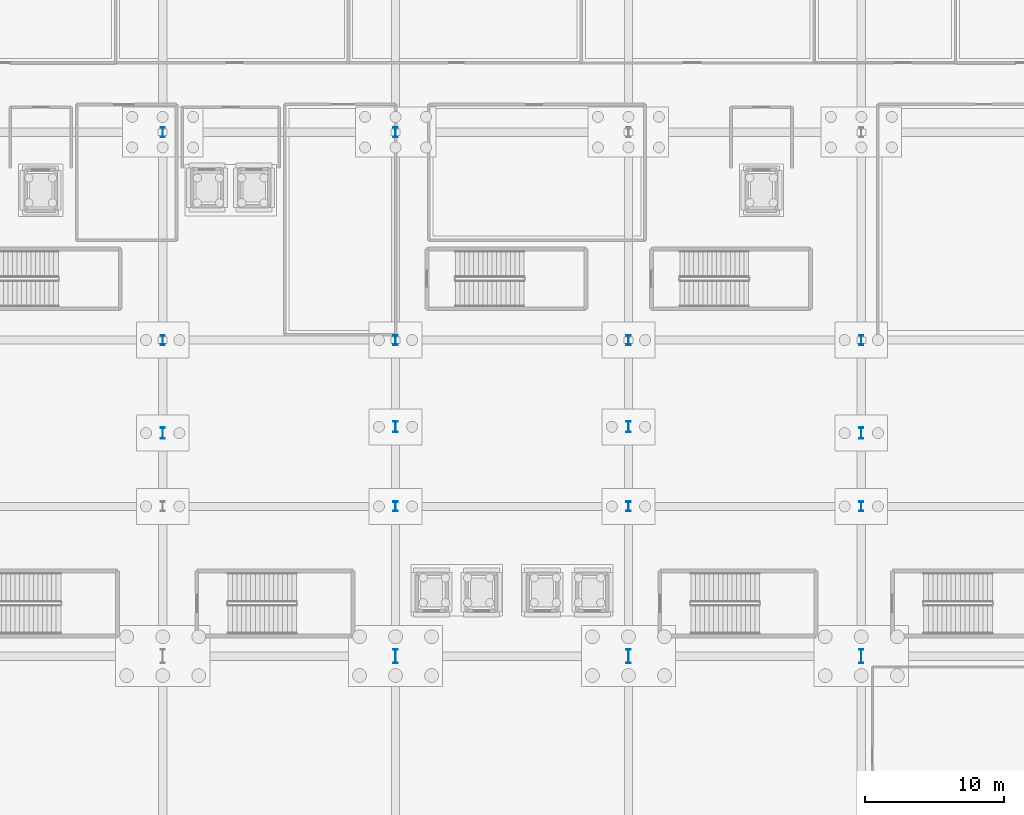
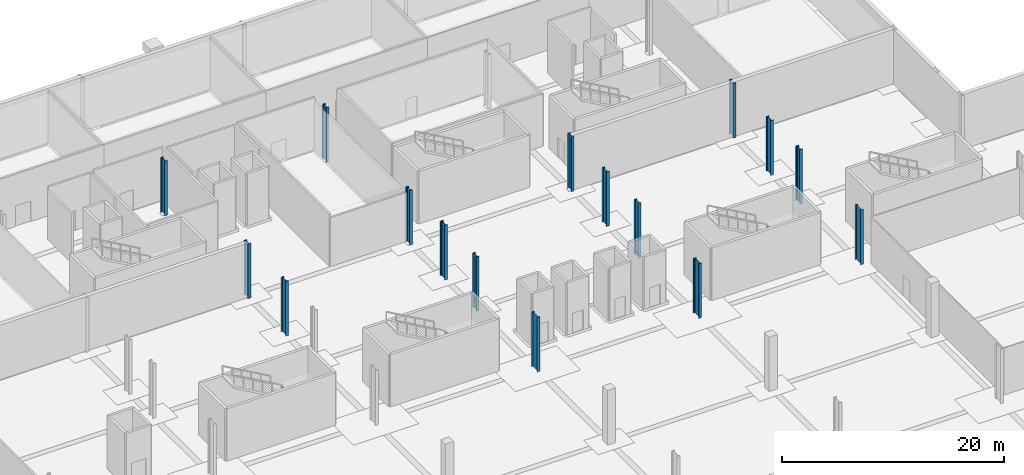
# One storey, part 13 of 46: 16 columns.
"""IFC4 building model written with IfcOpenShell, lengths in metres."""

import ifcopenshell
import ifcopenshell.guid

model = None  # the IFC model being written
_history = None  # IfcOwnerHistory: only IFC2X3 demands one
_inside = {}  # id of a spatial element -> (the spatial element, [elements in it])
_under = {}  # id of a project, library or spatial element -> (it, [spatial elements below it])
_declared = {}  # id of a project -> (the project, [libraries it declares])
_typed = {}  # id of a type object -> (the type object, [elements of that type])
_made_of = {}  # id of a material, layer set ... -> (it, [elements and type objects made of it])


def new_model(schema):
    """Start an empty IFC model of exactly this schema.

    Asked for "IFC4X3", IfcOpenShell would pick the latest addendum, in which some entities
    have other attributes; the version numbers below select the first issue.
    IFC2X3 requires an IfcOwnerHistory on every rooted entity: one is made here for all.
    """
    global model, _history
    if schema == "IFC4X3":
        model = ifcopenshell.file(schema_version=(4, 3, 0, 0))
    else:
        model = ifcopenshell.file(schema=schema)
    _inside.clear()
    _under.clear()
    _declared.clear()
    _typed.clear()
    _made_of.clear()
    _history = None
    if model.schema == "IFC2X3":
        org = make("IfcOrganization", Name="unknown")
        user = make(
            "IfcPersonAndOrganization",
            ThePerson=make("IfcPerson", FamilyName="unknown"),
            TheOrganization=org,
        )
        app = make(
            "IfcApplication",
            ApplicationDeveloper=org,
            Version="unknown",
            ApplicationFullName="unknown",
            ApplicationIdentifier="unknown",
        )
        _history = make(
            "IfcOwnerHistory",
            OwningUser=user,
            OwningApplication=app,
            ChangeAction="ADDED",
            CreationDate=0,
        )
    return model


def make(cls, **values):
    """One entity of the class cls with the attributes given. An attribute that is None is left unset."""
    return model.create_entity(
        cls, **{name: value for name, value in values.items() if value is not None}
    )


def rooted(cls, **values):
    """An entity with a GlobalId (a new one), such as an element, a storey or a relation."""
    return make(cls, GlobalId=ifcopenshell.guid.new(), OwnerHistory=_history, **values)


def si_unit(unit_type, name, prefix=None):
    """IfcSIUnit, for example si_unit("LENGTHUNIT", "METRE", prefix="MILLI")."""
    return make("IfcSIUnit", UnitType=unit_type, Prefix=prefix, Name=name)


def assignment(units):
    """IfcUnitAssignment: the units of a project."""
    return None if units is None else make("IfcUnitAssignment", Units=units)


def point(xyz):
    """IfcCartesianPoint."""
    return None if xyz is None else make("IfcCartesianPoint", Coordinates=xyz)


def direction(xyz):
    """IfcDirection."""
    return None if xyz is None else make("IfcDirection", DirectionRatios=xyz)


def frame(location, z_axis=None, x_axis=None):
    """IfcAxis2Placement3D, a coordinate frame: its origin and axes. An axis left out is left unset."""
    return make(
        "IfcAxis2Placement3D",
        Location=point(location),
        Axis=direction(z_axis),
        RefDirection=direction(x_axis),
    )


def frame_2d(location, x_axis=None):
    """IfcAxis2Placement2D, a coordinate frame in the plane: its origin and x axis."""
    return make(
        "IfcAxis2Placement2D", Location=point(location), RefDirection=direction(x_axis)
    )


def origin():
    """The frame at (0, 0, 0) with its axes left unset."""
    return frame((0.0, 0.0, 0.0))


def origin_2d():
    """The frame at (0, 0) in the plane with its x axis left unset."""
    return frame_2d((0.0, 0.0))


def place(relative_to, where):
    """IfcLocalPlacement: puts the frame where relative to a parent placement (None: the world)."""
    return make(
        "IfcLocalPlacement", PlacementRelTo=relative_to, RelativePlacement=where
    )


def context(
    kind, dimensions, precision=None, world=None, true_north=None, identifier=None
):
    """IfcGeometricRepresentationContext, for example the 3D "Model" context."""
    return make(
        "IfcGeometricRepresentationContext",
        ContextIdentifier=identifier,
        ContextType=kind,
        CoordinateSpaceDimension=dimensions,
        Precision=precision,
        WorldCoordinateSystem=world,
        TrueNorth=true_north,
    )


def subcontext(parent, identifier, kind, view, scale=None):
    """IfcGeometricRepresentationSubContext, for example "Body" below "Model"."""
    return make(
        "IfcGeometricRepresentationSubContext",
        ContextIdentifier=identifier,
        ContextType=kind,
        ParentContext=parent,
        TargetScale=scale,
        TargetView=view,
    )


def project(units=None, contexts=None):
    """IfcProject with its units and contexts."""
    return rooted(
        "IfcProject",
        Name="project",
        RepresentationContexts=contexts,
        UnitsInContext=assignment(units),
    )


def spatial(cls, under=None, at=None, **own):
    """A site, building, storey or space (cls), placed at a placement, below another one or the project."""
    s = rooted(cls, ObjectPlacement=at, **own)
    if under is not None:
        _under.setdefault(under.id(), (under, []))[1].append(s)
    return s


def profile(cls, at=None, kind="AREA", **sizes):
    """A parametric profile (cls). Its sizes go by their IFC names, for example OverallWidth=200.0."""
    return make(cls, ProfileType=kind, Position=at, **sizes)


def i_section(**sizes):
    """IfcIShapeProfileDef."""
    return profile("IfcIShapeProfileDef", **sizes)


def extrude(swept, where, along, depth):
    """IfcExtrudedAreaSolid: the profile swept, set in the frame where, extruded along a direction by depth."""
    return make(
        "IfcExtrudedAreaSolid",
        SweptArea=swept,
        Position=where,
        ExtrudedDirection=direction(along),
        Depth=depth,
    )


def shape(context_of_items, identifier, shape_type, items):
    """IfcShapeRepresentation: the items that make up one representation, for example the "Body"."""
    return make(
        "IfcShapeRepresentation",
        ContextOfItems=context_of_items,
        RepresentationIdentifier=identifier,
        RepresentationType=shape_type,
        Items=items,
    )


def material(Name=None, Category=None):
    """IfcMaterial."""
    return make("IfcMaterial", Name=Name, Category=Category)


def material_profile(
    of_material, cross_section, Name=None, Category=None, Priority=None
):
    """IfcMaterialProfile: a cross section and its material."""
    return make(
        "IfcMaterialProfile",
        Name=Name,
        Material=of_material,
        Profile=cross_section,
        Priority=Priority,
        Category=Category,
    )


def profile_set(profiles, Name=None, composite=None):
    """IfcMaterialProfileSet."""
    return make(
        "IfcMaterialProfileSet",
        Name=Name,
        MaterialProfiles=profiles,
        CompositeProfile=composite,
    )


def made_of(thing, what):
    """Note that an element or type object is made of a material, layer set ...; save() writes the relation."""
    if what is not None:
        _made_of.setdefault(what.id(), (what, []))[1].append(thing)
    return thing


def type_object(cls, material=None, **own):
    """A type object (cls), such as IfcWallType, which elements share."""
    return made_of(rooted(cls, **own), material)


def element(
    cls,
    number,
    at=None,
    inside=None,
    cuts=None,
    type_object=None,
    material=None,
    context=None,
    identifier="Body",
    shape_type=None,
    held_by="IfcProductDefinitionShape",
    body=None,
    shapes=None,
    **own,
):
    """One element of the class cls, such as IfcWall. Its Tag is "e" and its number.

    at: its placement. inside: the storey or other place that contains it. cuts: it is an
    opening in that element (IfcRelVoidsElement). A single representation is given by context,
    identifier, shape_type and body (its items); several are given by shapes. held_by: the class
    of the entity that holds the representations. save() writes the other relations.
    """
    e = rooted(cls, Tag="e%d" % number, ObjectPlacement=at, **own)
    if body is not None:
        shapes = [shape(context, identifier, shape_type, body)]
    if shapes is not None:
        e.Representation = make(held_by, Representations=shapes)
    if inside is not None:
        _inside.setdefault(inside.id(), (inside, []))[1].append(e)
    if cuts is not None:
        rooted(
            "IfcRelVoidsElement", RelatingBuildingElement=cuts, RelatedOpeningElement=e
        )
    if type_object is not None:
        _typed.setdefault(type_object.id(), (type_object, []))[1].append(e)
    return made_of(e, material)


def aggregate(whole, parts):
    """IfcRelAggregates: a whole, such as a stair, and the parts it consists of."""
    return rooted("IfcRelAggregates", RelatingObject=whole, RelatedObjects=parts)


def save(model, path):
    """Write the relations noted so far, then the file.

    IfcRelAggregates (storeys below a building ...), IfcRelContainedInSpatialStructure (elements
    in a storey), IfcRelDefinesByType, IfcRelAssociatesMaterial and IfcRelDeclares: one each for
    every whole, place, type object, material and project.
    """
    for whole, parts in _under.values():
        aggregate(whole, parts)
    for where, things in _inside.values():
        rooted(
            "IfcRelContainedInSpatialStructure",
            RelatedElements=things,
            RelatingStructure=where,
        )
    for kind, things in _typed.values():
        rooted("IfcRelDefinesByType", RelatedObjects=things, RelatingType=kind)
    for what, things in _made_of.values():
        rooted("IfcRelAssociatesMaterial", RelatedObjects=things, RelatingMaterial=what)
    for by, libraries in _declared.values():
        rooted("IfcRelDeclares", RelatingContext=by, RelatedDefinitions=libraries)
    model.write(path)


model = new_model("IFC4")

# Units and contexts
model_context = context("Model", 3, precision=1e-05, world=origin(), true_north=direction((0.0, 1.0)))
body_context = subcontext(model_context, "Body", "Model", "MODEL_VIEW")
ifc_project = project(units=[si_unit("LENGTHUNIT", "METRE"), si_unit("AREAUNIT", "SQUARE_METRE"), si_unit("VOLUMEUNIT", "CUBIC_METRE"), si_unit("PLANEANGLEUNIT", "RADIAN"), si_unit("MASSUNIT", "GRAM", prefix="KILO")], contexts=[model_context])

# Site, building, storey
site_placement = place(None, origin())
site = spatial("IfcSite", under=ifc_project, at=site_placement, CompositionType="ELEMENT")
building_placement = place(site_placement, origin())
building = spatial("IfcBuilding", under=site, at=building_placement, Name="Kimbaza Rail Terminus", CompositionType="ELEMENT")
storey_placement = place(building_placement, frame((0.0, 0.0, -6.0)))
storey = spatial("IfcBuildingStorey", under=building, at=storey_placement, Name="B1", CompositionType="ELEMENT", Elevation=-6.0)

# Columns
ifc_material_1 = material(Name="Steel S355", Category="steel")
ifc_material_profile_1 = material_profile(ifc_material_1, i_section(OverallWidth=0.302001953125, OverallDepth=1.008056640625, WebThickness=0.02099609375, FlangeThickness=0.0400390625, FilletRadius=0.030029296875, at=origin_2d()), Name="HEM 1000")
ifc_profile_set_1 = profile_set([ifc_material_profile_1], Name="Steel S355")
column_type_1 = type_object("IfcColumnType", Name="STR-COL-HEM1000", PredefinedType="COLUMN", material=ifc_profile_set_1)
for number, where, z_axis, x_axis, name in (
    (1, (105.60009765625, 80.199951171875, 0.0), (0.0, 0.0, 1.0), (1.0, 0.0, 0.0), "North Transfer Pier B1 (3,0)"),
    (2, (122.39990234375, 80.199951171875, 0.0), (0.0, 0.0, 1.0), (1.0, 0.0, 0.0), "North Transfer Pier B1 (4,0)"),
    (3, (139.199951171875, 80.199951171875, 0.0), (0.0, 0.0, 1.0), (1.0, 0.0, 0.0), "North Transfer Pier B1 (5,0)"),
):
    element("IfcColumn", number, at=place(storey_placement, frame(where, z_axis=z_axis, x_axis=x_axis)), inside=storey, type_object=column_type_1, Name=name, PredefinedType="COLUMN", context=body_context, shape_type="SweptSolid", body=[
        extrude(i_section(OverallWidth=0.302001953125, OverallDepth=1.008056640625, WebThickness=0.02099609375, FlangeThickness=0.0400390625, FilletRadius=0.030029296875, at=origin_2d()), origin(), (0.0, 0.0, 1.0), 6.0),
    ])
ifc_material_2 = material(Name="Steel S355", Category="steel")
ifc_material_profile_2 = material_profile(ifc_material_2, i_section(OverallWidth=0.303955078125, OverallDepth=0.716064453125, WebThickness=0.02099609375, FlangeThickness=0.0400390625, FilletRadius=0.027099609375, at=origin_2d()), Name="HEM 700")
ifc_profile_set_2 = profile_set([ifc_material_profile_2], Name="Steel S355")
column_type_2 = type_object("IfcColumnType", Name="STR-COL-HEM700", PredefinedType="COLUMN", material=ifc_profile_set_2)
for number, where, z_axis, x_axis, name in (
    (4, (88.800048828125, 103.0, 0.0), (0.0, 0.0, 1.0), (1.0, 0.0, 0.0), "Operations Column B1 (2,0)"),
    (5, (88.800048828125, 118.0, 0.0), (0.0, 0.0, 1.0), (1.0, 0.0, 0.0), "Operations Column B1 (2,1)"),
    (6, (105.60009765625, 103.0, 0.0), (0.0, 0.0, 1.0), (1.0, 0.0, 0.0), "Operations Column B1 (3,0)"),
    (7, (105.60009765625, 118.0, 0.0), (0.0, 0.0, 1.0), (1.0, 0.0, 0.0), "Operations Column B1 (3,1)"),
    (8, (122.39990234375, 103.0, 0.0), (0.0, 0.0, 1.0), (1.0, 0.0, 0.0), "Operations Column B1 (4,0)"),
    (9, (139.199951171875, 103.0, 0.0), (0.0, 0.0, 1.0), (1.0, 0.0, 0.0), "Operations Column B1 (5,0)"),
    (10, (105.60009765625, 91.0, 0.0), (0.0, 0.0, 1.0), (1.0, 0.0, 0.0), "North Transfer Pier B1 (3,1)"),
    (11, (122.39990234375, 91.0, 0.0), (0.0, 0.0, 1.0), (1.0, 0.0, 0.0), "North Transfer Pier B1 (4,1)"),
    (12, (139.199951171875, 91.0, 0.0), (0.0, 0.0, 1.0), (1.0, 0.0, 0.0), "North Transfer Pier B1 (5,1)"),
):
    element("IfcColumn", number, at=place(storey_placement, frame(where, z_axis=z_axis, x_axis=x_axis)), inside=storey, type_object=column_type_2, Name=name, PredefinedType="COLUMN", context=body_context, shape_type="SweptSolid", body=[
        extrude(i_section(OverallWidth=0.303955078125, OverallDepth=0.716064453125, WebThickness=0.02099609375, FlangeThickness=0.0400390625, FilletRadius=0.027099609375, at=origin_2d()), origin(), (0.0, 0.0, 1.0), 6.0),
    ])
ifc_material_3 = material(Name="Steel S355", Category="steel")
ifc_material_profile_3 = material_profile(ifc_material_3, i_section(OverallWidth=0.302978515625, OverallDepth=0.81396484375, WebThickness=0.02099609375, FlangeThickness=0.0400390625, FilletRadius=0.030029296875, at=origin_2d()), Name="HEM 800")
ifc_profile_set_3 = profile_set([ifc_material_profile_3], Name="Steel S355")
column_type_3 = type_object("IfcColumnType", Name="STR-COL-HEM800", PredefinedType="COLUMN", material=ifc_profile_set_3)
for number, where, z_axis, x_axis, name in (
    (13, (88.800048828125, 96.28759765625, 0.0), (0.0, 0.0, 1.0), (1.0, 0.0, 0.0), "North Vault Springing Pier B1 VP-05"),
    (14, (105.60009765625, 96.7431640625, 0.0), (0.0, 0.0, 1.0), (1.0, 0.0, 0.0), "North Vault Springing Pier B1 VP-06"),
    (15, (122.39990234375, 96.7431640625, 0.0), (0.0, 0.0, 1.0), (1.0, 0.0, 0.0), "North Vault Springing Pier B1 VP-07"),
    (16, (139.199951171875, 96.28759765625, 0.0), (0.0, 0.0, 1.0), (1.0, 0.0, 0.0), "North Vault Springing Pier B1 VP-08"),
):
    element("IfcColumn", number, at=place(storey_placement, frame(where, z_axis=z_axis, x_axis=x_axis)), inside=storey, type_object=column_type_3, Name=name, PredefinedType="COLUMN", context=body_context, shape_type="SweptSolid", body=[
        extrude(i_section(OverallWidth=0.302978515625, OverallDepth=0.81396484375, WebThickness=0.02099609375, FlangeThickness=0.0400390625, FilletRadius=0.030029296875, at=origin_2d()), origin(), (0.0, 0.0, 1.0), 6.0),
    ])

save(model, "model.ifc")
